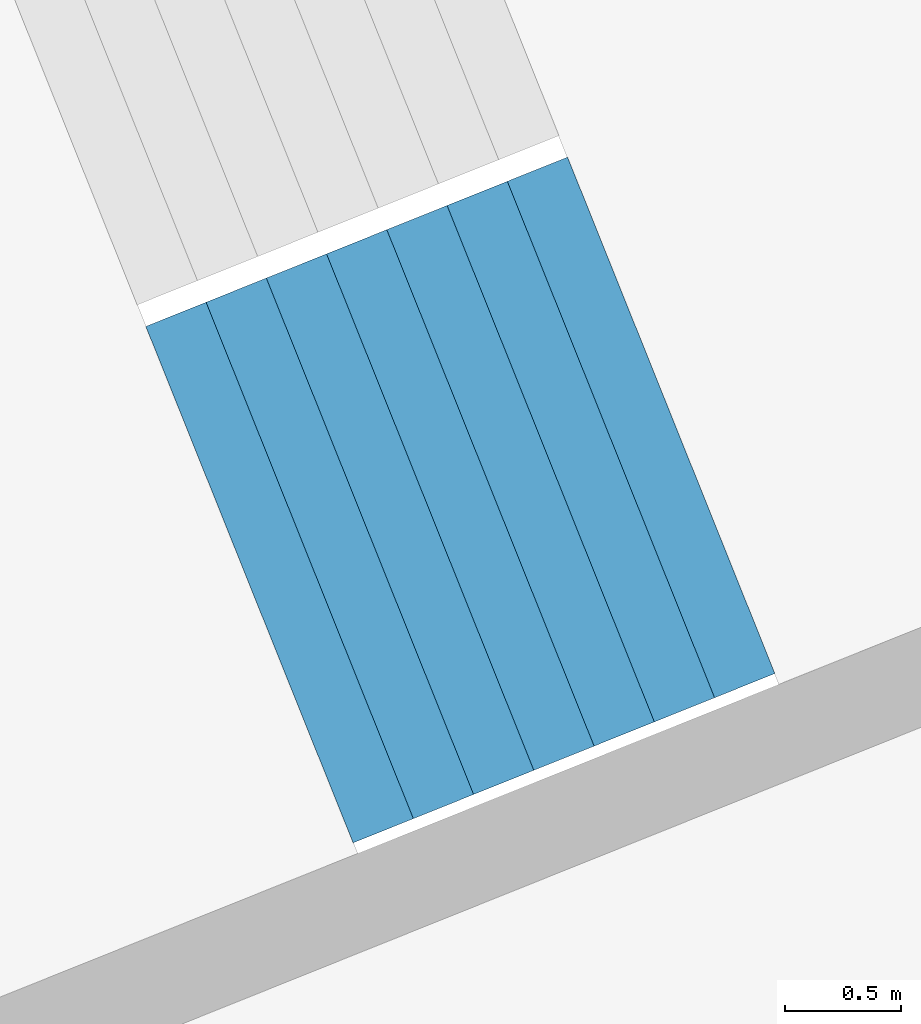
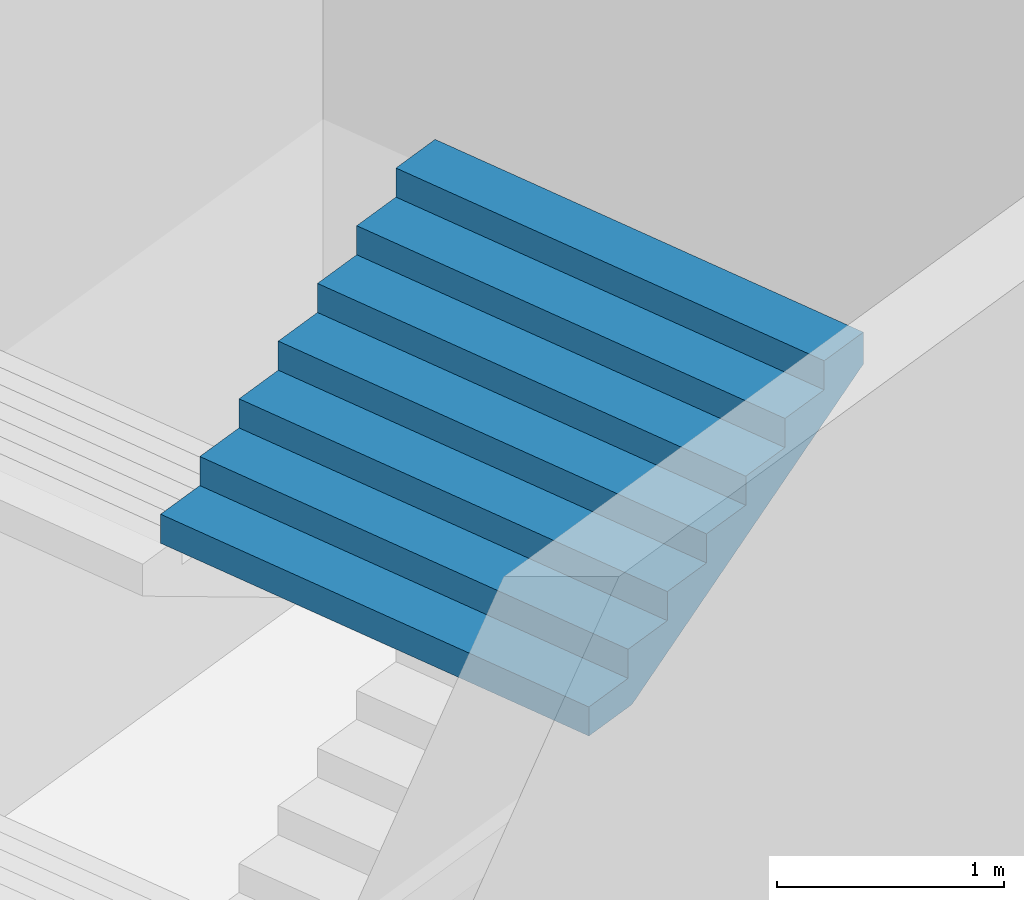
# One storey, part 20 of 73: 1 stair flight, 1 element without a shape of its own.
"""IFC4 building model written with IfcOpenShell, lengths in metres."""

from ifc_helpers import new_model, si_unit, direction, frame, origin, place, context, subcontext, project, spatial, triangles, material, type_object, element, aggregate, save


model = new_model("IFC4")

# Units and contexts
model_context = context("Model", 3, precision=1e-05, world=origin(), true_north=direction((0.0, 1.0)))
body_context = subcontext(model_context, "Body", "Model", "MODEL_VIEW")
ifc_project = project(units=[si_unit("LENGTHUNIT", "METRE"), si_unit("AREAUNIT", "SQUARE_METRE"), si_unit("VOLUMEUNIT", "CUBIC_METRE"), si_unit("PLANEANGLEUNIT", "RADIAN"), si_unit("MASSUNIT", "GRAM", prefix="KILO")], contexts=[model_context])

# Site, building, storey
site_placement = place(None, origin())
site = spatial("IfcSite", under=ifc_project, at=site_placement, CompositionType="ELEMENT")
building_placement = place(site_placement, origin())
building = spatial("IfcBuilding", under=site, at=building_placement, Name="Lantaw Convention Tower", CompositionType="ELEMENT")
storey_placement = place(building_placement, frame((0.0, 0.0, 27.0)))
storey = spatial("IfcBuildingStorey", under=building, at=storey_placement, Name="L04", CompositionType="ELEMENT", Elevation=27.0)

# Stair, stair flight
ifc_material = material(Name="Concrete C35/45", Category="concrete")
stair_type = type_object("IfcStairType", Name="Exit stair 2400 riser 156.25 in 4 flights", PredefinedType="HALF_TURN_STAIR", material=ifc_material)
stair_placement = place(storey_placement, origin())
stair = element("IfcStair", 1, at=stair_placement, inside=storey, type_object=stair_type, Name="Podium exit stair P11 L04", PredefinedType="HALF_TURN_STAIR")
stair_flight_type = type_object("IfcStairFlightType", Name="Stair flight 2400 riser 156.25", PredefinedType="STRAIGHT", material=ifc_material)
stair_flight_placement = place(storey_placement, frame((-30.9052734375, -13.753662109375, 3.75), z_axis=(0.0, 0.0, 1.0), x_axis=(0.928015168305, 0.372542410198, 0.0)))
stair_flight = element("IfcStairFlight", 2, at=stair_flight_placement, type_object=stair_flight_type, Name="P11 flight 4", NumberOfRisers=8, NumberOfTreads=7, PredefinedType="STRAIGHT", RiserHeight=0.15625, TreadLength=0.28, context=body_context, shape_type="Tessellation", body=[
    triangles([(0.0, 1.199951171875, 0.0), (0.0, 1.199951171875, 0.15625), (0.28, 1.199951171875, 0.0), (0.28, 1.199951171875, 0.15625), (0.28, 1.199951171875, 0.3125), (0.3076200632058044, 1.199951171875, 0.0), (0.3076200632058044, 1.199951171875, 0.3125), (0.56, 1.199951171875, 0.14083701830033238), (0.56, 1.199951171875, 0.3125), (0.56, 1.199951171875, 0.46875), (0.8400000000000001, 1.199951171875, 0.29708701830033235), (0.8400000000000001, 1.199951171875, 0.46875), (0.8400000000000001, 1.199951171875, 0.625), (1.12, 1.199951171875, 0.45333701830033235), (1.12, 1.199951171875, 0.625), (1.12, 1.199951171875, 0.78125), (1.4000000000000001, 1.199951171875, 0.6095870183003324), (1.4000000000000001, 1.199951171875, 0.78125), (1.4000000000000001, 1.199951171875, 0.9375), (1.6800000000000002, 1.199951171875, 0.7658370183003324), (1.6800000000000002, 1.199951171875, 0.9375), (1.6800000000000002, 1.199951171875, 1.09375), (1.9600000000000002, 1.199951171875, 0.9220870183003324), (1.9600000000000002, 1.199951171875, 1.09375), (0.0, -1.199951171875, 0.0), (0.0, -1.199951171875, 0.15625), (0.28, -1.199951171875, 0.0), (0.28, -1.199951171875, 0.15625), (0.28, -1.199951171875, 0.3125), (0.3076200632058044, -1.199951171875, 0.0), (0.3076200632058044, -1.199951171875, 0.3125), (0.56, -1.199951171875, 0.14083701830033238), (0.56, -1.199951171875, 0.3125), (0.56, -1.199951171875, 0.46875), (0.8400000000000001, -1.199951171875, 0.29708701830033235), (0.8400000000000001, -1.199951171875, 0.46875), (0.8400000000000001, -1.199951171875, 0.625), (1.12, -1.199951171875, 0.45333701830033235), (1.12, -1.199951171875, 0.625), (1.12, -1.199951171875, 0.78125), (1.4000000000000001, -1.199951171875, 0.6095870183003324), (1.4000000000000001, -1.199951171875, 0.78125), (1.4000000000000001, -1.199951171875, 0.9375), (1.6800000000000002, -1.199951171875, 0.7658370183003324), (1.6800000000000002, -1.199951171875, 0.9375), (1.6800000000000002, -1.199951171875, 1.09375), (1.9600000000000002, -1.199951171875, 0.9220870183003324), (1.9600000000000002, -1.199951171875, 1.09375), (0.0, 0.239990234375, 0.15625), (0.0, 0.239990234375, 0.0), (0.0, 0.1919921875, 0.15625), (0.0, 0.1919921875, 0.0), (0.0, 0.143994140625, 0.15625), (0.0, 0.143994140625, 0.0), (0.0, 0.09599609375, 0.15625), (0.0, 0.09599609375, 0.0), (0.0, 0.047998046875, 0.15625), (0.0, 0.047998046875, 0.0), (0.0, 0.0, 0.15625), (0.0, 0.0, 0.0), (0.0, -0.047998046875, 0.15625), (0.0, -0.047998046875, 0.0), (0.0, -0.09599609375, 0.15625), (0.0, -0.09599609375, 0.0), (0.0, -0.143994140625, 0.15625), (0.0, -0.143994140625, 0.0), (0.0, -0.1919921875, 0.15625), (0.0, -0.1919921875, 0.0), (0.0, -0.239990234375, 0.15625), (0.0, -0.239990234375, 0.0), (0.28, 0.239990234375, 0.3125), (0.28, 0.239990234375, 0.15625), (0.28, 0.1919921875, 0.3125), (0.28, 0.1919921875, 0.15625), (0.28, 0.143994140625, 0.3125), (0.28, 0.143994140625, 0.15625), (0.28, 0.09599609375, 0.3125), (0.28, 0.09599609375, 0.15625), (0.28, 0.047998046875, 0.3125), (0.28, 0.047998046875, 0.15625), (0.28, 0.0, 0.3125), (0.28, 0.0, 0.15625), (0.28, -0.047998046875, 0.3125), (0.28, -0.047998046875, 0.15625), (0.28, -0.09599609375, 0.3125), (0.28, -0.09599609375, 0.15625), (0.28, -0.143994140625, 0.3125), (0.28, -0.143994140625, 0.15625), (0.28, -0.1919921875, 0.3125), (0.28, -0.1919921875, 0.15625), (0.28, -0.239990234375, 0.3125), (0.28, -0.239990234375, 0.15625), (0.56, 0.239990234375, 0.46875), (0.56, 0.239990234375, 0.3125), (0.56, 0.1919921875, 0.46875), (0.56, 0.1919921875, 0.3125), (0.56, 0.143994140625, 0.46875), (0.56, 0.143994140625, 0.3125), (0.56, 0.09599609375, 0.46875), (0.56, 0.09599609375, 0.3125), (0.56, 0.047998046875, 0.46875), (0.56, 0.047998046875, 0.3125), (0.56, 0.0, 0.46875), (0.56, 0.0, 0.3125), (0.56, -0.047998046875, 0.46875), (0.56, -0.047998046875, 0.3125), (0.56, -0.09599609375, 0.46875), (0.56, -0.09599609375, 0.3125), (0.56, -0.143994140625, 0.46875), (0.56, -0.143994140625, 0.3125), (0.56, -0.1919921875, 0.46875), (0.56, -0.1919921875, 0.3125), (0.56, -0.239990234375, 0.46875), (0.56, -0.239990234375, 0.3125), (0.8400000000000001, 0.239990234375, 0.625), (0.8400000000000001, 0.239990234375, 0.46875), (0.8400000000000001, 0.1919921875, 0.625), (0.8400000000000001, 0.1919921875, 0.46875), (0.8400000000000001, 0.143994140625, 0.625), (0.8400000000000001, 0.143994140625, 0.46875), (0.8400000000000001, 0.09599609375, 0.625), (0.8400000000000001, 0.09599609375, 0.46875), (0.8400000000000001, 0.047998046875, 0.625), (0.8400000000000001, 0.047998046875, 0.46875), (0.8400000000000001, 0.0, 0.625), (0.8400000000000001, 0.0, 0.46875), (0.8400000000000001, -0.047998046875, 0.625), (0.8400000000000001, -0.047998046875, 0.46875), (0.8400000000000001, -0.09599609375, 0.625), (0.8400000000000001, -0.09599609375, 0.46875), (0.8400000000000001, -0.143994140625, 0.625), (0.8400000000000001, -0.143994140625, 0.46875), (0.8400000000000001, -0.1919921875, 0.625), (0.8400000000000001, -0.1919921875, 0.46875), (0.8400000000000001, -0.239990234375, 0.625), (0.8400000000000001, -0.239990234375, 0.46875), (1.12, 0.239990234375, 0.78125), (1.12, 0.239990234375, 0.625), (1.12, 0.1919921875, 0.78125), (1.12, 0.1919921875, 0.625), (1.12, 0.143994140625, 0.78125), (1.12, 0.143994140625, 0.625), (1.12, 0.09599609375, 0.78125), (1.12, 0.09599609375, 0.625), (1.12, 0.047998046875, 0.78125), (1.12, 0.047998046875, 0.625), (1.12, 0.0, 0.78125), (1.12, 0.0, 0.625), (1.12, -0.047998046875, 0.78125), (1.12, -0.047998046875, 0.625), (1.12, -0.09599609375, 0.78125), (1.12, -0.09599609375, 0.625), (1.12, -0.143994140625, 0.78125), (1.12, -0.143994140625, 0.625), (1.12, -0.1919921875, 0.78125), (1.12, -0.1919921875, 0.625), (1.12, -0.239990234375, 0.78125), (1.12, -0.239990234375, 0.625), (1.4000000000000001, 0.239990234375, 0.9375), (1.4000000000000001, 0.239990234375, 0.78125), (1.4000000000000001, 0.1919921875, 0.9375), (1.4000000000000001, 0.1919921875, 0.78125), (1.4000000000000001, 0.143994140625, 0.9375), (1.4000000000000001, 0.143994140625, 0.78125), (1.4000000000000001, 0.09599609375, 0.9375), (1.4000000000000001, 0.09599609375, 0.78125), (1.4000000000000001, 0.047998046875, 0.9375), (1.4000000000000001, 0.047998046875, 0.78125), (1.4000000000000001, 0.0, 0.9375), (1.4000000000000001, 0.0, 0.78125), (1.4000000000000001, -0.047998046875, 0.9375), (1.4000000000000001, -0.047998046875, 0.78125), (1.4000000000000001, -0.09599609375, 0.9375), (1.4000000000000001, -0.09599609375, 0.78125), (1.4000000000000001, -0.143994140625, 0.9375), (1.4000000000000001, -0.143994140625, 0.78125), (1.4000000000000001, -0.1919921875, 0.9375), (1.4000000000000001, -0.1919921875, 0.78125), (1.4000000000000001, -0.239990234375, 0.9375), (1.4000000000000001, -0.239990234375, 0.78125), (1.6800000000000002, 0.239990234375, 1.09375), (1.6800000000000002, 0.239990234375, 0.9375), (1.6800000000000002, 0.1919921875, 1.09375), (1.6800000000000002, 0.1919921875, 0.9375), (1.6800000000000002, 0.143994140625, 1.09375), (1.6800000000000002, 0.143994140625, 0.9375), (1.6800000000000002, 0.09599609375, 1.09375), (1.6800000000000002, 0.09599609375, 0.9375), (1.6800000000000002, 0.047998046875, 1.09375), (1.6800000000000002, 0.047998046875, 0.9375), (1.6800000000000002, 0.0, 1.09375), (1.6800000000000002, 0.0, 0.9375), (1.6800000000000002, -0.047998046875, 1.09375), (1.6800000000000002, -0.047998046875, 0.9375), (1.6800000000000002, -0.09599609375, 1.09375), (1.6800000000000002, -0.09599609375, 0.9375), (1.6800000000000002, -0.143994140625, 1.09375), (1.6800000000000002, -0.143994140625, 0.9375), (1.6800000000000002, -0.1919921875, 1.09375), (1.6800000000000002, -0.1919921875, 0.9375), (1.6800000000000002, -0.239990234375, 1.09375), (1.6800000000000002, -0.239990234375, 0.9375), (0.3076200632058044, 0.239990234375, 0.3125), (0.3076200632058044, 0.1919921875, 0.3125), (0.3076200632058044, 0.143994140625, 0.3125), (0.3076200632058044, 0.09599609375, 0.3125), (0.3076200632058044, 0.047998046875, 0.3125), (0.3076200632058044, 0.0, 0.3125), (0.3076200632058044, -0.047998046875, 0.3125), (0.3076200632058044, -0.09599609375, 0.3125), (0.3076200632058044, -0.143994140625, 0.3125), (0.3076200632058044, -0.1919921875, 0.3125), (0.3076200632058044, -0.239990234375, 0.3125), (1.9600000000000002, 0.239990234375, 1.09375), (1.9600000000000002, 0.1919921875, 1.09375), (1.9600000000000002, 0.143994140625, 1.09375), (1.9600000000000002, 0.09599609375, 1.09375), (1.9600000000000002, 0.047998046875, 1.09375), (1.9600000000000002, 0.0, 1.09375), (1.9600000000000002, -0.047998046875, 1.09375), (1.9600000000000002, -0.09599609375, 1.09375), (1.9600000000000002, -0.143994140625, 1.09375), (1.9600000000000002, -0.1919921875, 1.09375), (1.9600000000000002, -0.239990234375, 1.09375), (1.9600000000000002, 0.239990234375, 0.9220870183003324), (1.9600000000000002, 0.1919921875, 0.9220870183003324), (1.9600000000000002, 0.143994140625, 0.9220870183003324), (1.9600000000000002, 0.09599609375, 0.9220870183003324), (1.9600000000000002, 0.047998046875, 0.9220870183003324), (1.9600000000000002, 0.0, 0.9220870183003324), (1.9600000000000002, -0.047998046875, 0.9220870183003324), (1.9600000000000002, -0.09599609375, 0.9220870183003324), (1.9600000000000002, -0.143994140625, 0.9220870183003324), (1.9600000000000002, -0.1919921875, 0.9220870183003324), (1.9600000000000002, -0.239990234375, 0.9220870183003324), (1.6800000000000002, 0.239990234375, 0.7658370183003324), (1.6800000000000002, 0.1919921875, 0.7658370183003324), (1.6800000000000002, 0.143994140625, 0.7658370183003324), (1.6800000000000002, 0.09599609375, 0.7658370183003324), (1.6800000000000002, 0.047998046875, 0.7658370183003324), (1.6800000000000002, 0.0, 0.7658370183003324), (1.6800000000000002, -0.047998046875, 0.7658370183003324), (1.6800000000000002, -0.09599609375, 0.7658370183003324), (1.6800000000000002, -0.143994140625, 0.7658370183003324), (1.6800000000000002, -0.1919921875, 0.7658370183003324), (1.6800000000000002, -0.239990234375, 0.7658370183003324), (1.4000000000000001, 0.239990234375, 0.6095870183003324), (1.4000000000000001, 0.1919921875, 0.6095870183003324), (1.4000000000000001, 0.143994140625, 0.6095870183003324), (1.4000000000000001, 0.09599609375, 0.6095870183003324), (1.4000000000000001, 0.047998046875, 0.6095870183003324), (1.4000000000000001, 0.0, 0.6095870183003324), (1.4000000000000001, -0.047998046875, 0.6095870183003324), (1.4000000000000001, -0.09599609375, 0.6095870183003324), (1.4000000000000001, -0.143994140625, 0.6095870183003324), (1.4000000000000001, -0.1919921875, 0.6095870183003324), (1.4000000000000001, -0.239990234375, 0.6095870183003324), (1.12, 0.239990234375, 0.45333701830033235), (1.12, 0.1919921875, 0.45333701830033235), (1.12, 0.143994140625, 0.45333701830033235), (1.12, 0.09599609375, 0.45333701830033235), (1.12, 0.047998046875, 0.45333701830033235), (1.12, 0.0, 0.45333701830033235), (1.12, -0.047998046875, 0.45333701830033235), (1.12, -0.09599609375, 0.45333701830033235), (1.12, -0.143994140625, 0.45333701830033235), (1.12, -0.1919921875, 0.45333701830033235), (1.12, -0.239990234375, 0.45333701830033235), (0.8400000000000001, 0.239990234375, 0.29708701830033235), (0.8400000000000001, 0.1919921875, 0.29708701830033235), (0.8400000000000001, 0.143994140625, 0.29708701830033235), (0.8400000000000001, 0.09599609375, 0.29708701830033235), (0.8400000000000001, 0.047998046875, 0.29708701830033235), (0.8400000000000001, 0.0, 0.29708701830033235), (0.8400000000000001, -0.047998046875, 0.29708701830033235), (0.8400000000000001, -0.09599609375, 0.29708701830033235), (0.8400000000000001, -0.143994140625, 0.29708701830033235), (0.8400000000000001, -0.1919921875, 0.29708701830033235), (0.8400000000000001, -0.239990234375, 0.29708701830033235), (0.56, 0.239990234375, 0.14083701830033238), (0.56, 0.1919921875, 0.14083701830033238), (0.56, 0.143994140625, 0.14083701830033238), (0.56, 0.09599609375, 0.14083701830033238), (0.56, 0.047998046875, 0.14083701830033238), (0.56, 0.0, 0.14083701830033238), (0.56, -0.047998046875, 0.14083701830033238), (0.56, -0.09599609375, 0.14083701830033238), (0.56, -0.143994140625, 0.14083701830033238), (0.56, -0.1919921875, 0.14083701830033238), (0.56, -0.239990234375, 0.14083701830033238), (0.3076200632058044, 0.239990234375, 0.0), (0.3076200632058044, 0.1919921875, 0.0), (0.3076200632058044, 0.143994140625, 0.0), (0.3076200632058044, 0.09599609375, 0.0), (0.3076200632058044, 0.047998046875, 0.0), (0.3076200632058044, 0.0, 0.0), (0.3076200632058044, -0.047998046875, 0.0), (0.3076200632058044, -0.09599609375, 0.0), (0.3076200632058044, -0.143994140625, 0.0), (0.3076200632058044, -0.1919921875, 0.0), (0.3076200632058044, -0.239990234375, 0.0), (0.28, 0.239990234375, 0.0), (0.28, 0.1919921875, 0.0), (0.28, 0.143994140625, 0.0), (0.28, 0.09599609375, 0.0), (0.28, 0.047998046875, 0.0), (0.28, 0.0, 0.0), (0.28, -0.047998046875, 0.0), (0.28, -0.09599609375, 0.0), (0.28, -0.143994140625, 0.0), (0.28, -0.1919921875, 0.0), (0.28, -0.239990234375, 0.0)], [[1, 4, 3], [1, 2, 4], [3, 4, 6], [4, 7, 6], [4, 5, 7], [6, 9, 8], [6, 7, 9], [8, 9, 11], [9, 12, 11], [9, 10, 12], [11, 12, 14], [12, 15, 14], [12, 13, 15], [14, 15, 17], [15, 18, 17], [15, 16, 18], [17, 18, 20], [18, 21, 20], [18, 19, 21], [20, 21, 23], [21, 24, 23], [21, 22, 24], [25, 27, 28], [25, 28, 26], [27, 30, 28], [28, 30, 31], [28, 31, 29], [30, 32, 33], [30, 33, 31], [32, 35, 33], [33, 35, 36], [33, 36, 34], [35, 38, 36], [36, 38, 39], [36, 39, 37], [38, 41, 39], [39, 41, 42], [39, 42, 40], [41, 44, 42], [42, 44, 45], [42, 45, 43], [44, 47, 45], [45, 47, 48], [45, 48, 46], [1, 49, 2], [1, 50, 49], [50, 51, 49], [50, 52, 51], [52, 53, 51], [52, 54, 53], [54, 55, 53], [54, 56, 55], [56, 57, 55], [56, 58, 57], [58, 59, 57], [58, 60, 59], [60, 61, 59], [60, 62, 61], [62, 63, 61], [62, 64, 63], [64, 65, 63], [64, 66, 65], [66, 67, 65], [66, 68, 67], [68, 69, 67], [68, 70, 69], [70, 26, 69], [70, 25, 26], [4, 71, 5], [4, 72, 71], [72, 73, 71], [72, 74, 73], [74, 75, 73], [74, 76, 75], [76, 77, 75], [76, 78, 77], [78, 79, 77], [78, 80, 79], [80, 81, 79], [80, 82, 81], [82, 83, 81], [82, 84, 83], [84, 85, 83], [84, 86, 85], [86, 87, 85], [86, 88, 87], [88, 89, 87], [88, 90, 89], [90, 91, 89], [90, 92, 91], [92, 29, 91], [92, 28, 29], [9, 93, 10], [9, 94, 93], [94, 95, 93], [94, 96, 95], [96, 97, 95], [96, 98, 97], [98, 99, 97], [98, 100, 99], [100, 101, 99], [100, 102, 101], [102, 103, 101], [102, 104, 103], [104, 105, 103], [104, 106, 105], [106, 107, 105], [106, 108, 107], [108, 109, 107], [108, 110, 109], [110, 111, 109], [110, 112, 111], [112, 113, 111], [112, 114, 113], [114, 34, 113], [114, 33, 34], [12, 115, 13], [12, 116, 115], [116, 117, 115], [116, 118, 117], [118, 119, 117], [118, 120, 119], [120, 121, 119], [120, 122, 121], [122, 123, 121], [122, 124, 123], [124, 125, 123], [124, 126, 125], [126, 127, 125], [126, 128, 127], [128, 129, 127], [128, 130, 129], [130, 131, 129], [130, 132, 131], [132, 133, 131], [132, 134, 133], [134, 135, 133], [134, 136, 135], [136, 37, 135], [136, 36, 37], [15, 137, 16], [15, 138, 137], [138, 139, 137], [138, 140, 139], [140, 141, 139], [140, 142, 141], [142, 143, 141], [142, 144, 143], [144, 145, 143], [144, 146, 145], [146, 147, 145], [146, 148, 147], [148, 149, 147], [148, 150, 149], [150, 151, 149], [150, 152, 151], [152, 153, 151], [152, 154, 153], [154, 155, 153], [154, 156, 155], [156, 157, 155], [156, 158, 157], [158, 40, 157], [158, 39, 40], [18, 159, 19], [18, 160, 159], [160, 161, 159], [160, 162, 161], [162, 163, 161], [162, 164, 163], [164, 165, 163], [164, 166, 165], [166, 167, 165], [166, 168, 167], [168, 169, 167], [168, 170, 169], [170, 171, 169], [170, 172, 171], [172, 173, 171], [172, 174, 173], [174, 175, 173], [174, 176, 175], [176, 177, 175], [176, 178, 177], [178, 179, 177], [178, 180, 179], [180, 43, 179], [180, 42, 43], [21, 181, 22], [21, 182, 181], [182, 183, 181], [182, 184, 183], [184, 185, 183], [184, 186, 185], [186, 187, 185], [186, 188, 187], [188, 189, 187], [188, 190, 189], [190, 191, 189], [190, 192, 191], [192, 193, 191], [192, 194, 193], [194, 195, 193], [194, 196, 195], [196, 197, 195], [196, 198, 197], [198, 199, 197], [198, 200, 199], [200, 201, 199], [200, 202, 201], [202, 46, 201], [202, 45, 46], [2, 72, 4], [2, 49, 72], [49, 74, 72], [49, 51, 74], [51, 76, 74], [51, 53, 76], [53, 78, 76], [53, 55, 78], [55, 80, 78], [55, 57, 80], [57, 82, 80], [57, 59, 82], [59, 84, 82], [59, 61, 84], [61, 86, 84], [61, 63, 86], [63, 88, 86], [63, 65, 88], [65, 90, 88], [65, 67, 90], [67, 92, 90], [67, 69, 92], [69, 28, 92], [69, 26, 28], [5, 203, 7], [5, 71, 203], [71, 204, 203], [71, 73, 204], [73, 205, 204], [73, 75, 205], [75, 206, 205], [75, 77, 206], [77, 207, 206], [77, 79, 207], [79, 208, 207], [79, 81, 208], [81, 209, 208], [81, 83, 209], [83, 210, 209], [83, 85, 210], [85, 211, 210], [85, 87, 211], [87, 212, 211], [87, 89, 212], [89, 213, 212], [89, 91, 213], [91, 31, 213], [91, 29, 31], [7, 94, 9], [7, 203, 94], [203, 96, 94], [203, 204, 96], [204, 98, 96], [204, 205, 98], [205, 100, 98], [205, 206, 100], [206, 102, 100], [206, 207, 102], [207, 104, 102], [207, 208, 104], [208, 106, 104], [208, 209, 106], [209, 108, 106], [209, 210, 108], [210, 110, 108], [210, 211, 110], [211, 112, 110], [211, 212, 112], [212, 114, 112], [212, 213, 114], [213, 33, 114], [213, 31, 33], [10, 116, 12], [10, 93, 116], [93, 118, 116], [93, 95, 118], [95, 120, 118], [95, 97, 120], [97, 122, 120], [97, 99, 122], [99, 124, 122], [99, 101, 124], [101, 126, 124], [101, 103, 126], [103, 128, 126], [103, 105, 128], [105, 130, 128], [105, 107, 130], [107, 132, 130], [107, 109, 132], [109, 134, 132], [109, 111, 134], [111, 136, 134], [111, 113, 136], [113, 36, 136], [113, 34, 36], [13, 138, 15], [13, 115, 138], [115, 140, 138], [115, 117, 140], [117, 142, 140], [117, 119, 142], [119, 144, 142], [119, 121, 144], [121, 146, 144], [121, 123, 146], [123, 148, 146], [123, 125, 148], [125, 150, 148], [125, 127, 150], [127, 152, 150], [127, 129, 152], [129, 154, 152], [129, 131, 154], [131, 156, 154], [131, 133, 156], [133, 158, 156], [133, 135, 158], [135, 39, 158], [135, 37, 39], [16, 160, 18], [16, 137, 160], [137, 162, 160], [137, 139, 162], [139, 164, 162], [139, 141, 164], [141, 166, 164], [141, 143, 166], [143, 168, 166], [143, 145, 168], [145, 170, 168], [145, 147, 170], [147, 172, 170], [147, 149, 172], [149, 174, 172], [149, 151, 174], [151, 176, 174], [151, 153, 176], [153, 178, 176], [153, 155, 178], [155, 180, 178], [155, 157, 180], [157, 42, 180], [157, 40, 42], [19, 182, 21], [19, 159, 182], [159, 184, 182], [159, 161, 184], [161, 186, 184], [161, 163, 186], [163, 188, 186], [163, 165, 188], [165, 190, 188], [165, 167, 190], [167, 192, 190], [167, 169, 192], [169, 194, 192], [169, 171, 194], [171, 196, 194], [171, 173, 196], [173, 198, 196], [173, 175, 198], [175, 200, 198], [175, 177, 200], [177, 202, 200], [177, 179, 202], [179, 45, 202], [179, 43, 45], [22, 214, 24], [22, 181, 214], [181, 215, 214], [181, 183, 215], [183, 216, 215], [183, 185, 216], [185, 217, 216], [185, 187, 217], [187, 218, 217], [187, 189, 218], [189, 219, 218], [189, 191, 219], [191, 220, 219], [191, 193, 220], [193, 221, 220], [193, 195, 221], [195, 222, 221], [195, 197, 222], [197, 223, 222], [197, 199, 223], [199, 224, 223], [199, 201, 224], [201, 48, 224], [201, 46, 48], [24, 225, 23], [24, 214, 225], [214, 226, 225], [214, 215, 226], [215, 227, 226], [215, 216, 227], [216, 228, 227], [216, 217, 228], [217, 229, 228], [217, 218, 229], [218, 230, 229], [218, 219, 230], [219, 231, 230], [219, 220, 231], [220, 232, 231], [220, 221, 232], [221, 233, 232], [221, 222, 233], [222, 234, 233], [222, 223, 234], [223, 235, 234], [223, 224, 235], [224, 47, 235], [224, 48, 47], [23, 236, 20], [23, 225, 236], [225, 237, 236], [225, 226, 237], [226, 238, 237], [226, 227, 238], [227, 239, 238], [227, 228, 239], [228, 240, 239], [228, 229, 240], [229, 241, 240], [229, 230, 241], [230, 242, 241], [230, 231, 242], [231, 243, 242], [231, 232, 243], [232, 244, 243], [232, 233, 244], [233, 245, 244], [233, 234, 245], [234, 246, 245], [234, 235, 246], [235, 44, 246], [235, 47, 44], [20, 247, 17], [20, 236, 247], [236, 248, 247], [236, 237, 248], [237, 249, 248], [237, 238, 249], [238, 250, 249], [238, 239, 250], [239, 251, 250], [239, 240, 251], [240, 252, 251], [240, 241, 252], [241, 253, 252], [241, 242, 253], [242, 254, 253], [242, 243, 254], [243, 255, 254], [243, 244, 255], [244, 256, 255], [244, 245, 256], [245, 257, 256], [245, 246, 257], [246, 41, 257], [246, 44, 41], [17, 258, 14], [17, 247, 258], [247, 259, 258], [247, 248, 259], [248, 260, 259], [248, 249, 260], [249, 261, 260], [249, 250, 261], [250, 262, 261], [250, 251, 262], [251, 263, 262], [251, 252, 263], [252, 264, 263], [252, 253, 264], [253, 265, 264], [253, 254, 265], [254, 266, 265], [254, 255, 266], [255, 267, 266], [255, 256, 267], [256, 268, 267], [256, 257, 268], [257, 38, 268], [257, 41, 38], [14, 269, 11], [14, 258, 269], [258, 270, 269], [258, 259, 270], [259, 271, 270], [259, 260, 271], [260, 272, 271], [260, 261, 272], [261, 273, 272], [261, 262, 273], [262, 274, 273], [262, 263, 274], [263, 275, 274], [263, 264, 275], [264, 276, 275], [264, 265, 276], [265, 277, 276], [265, 266, 277], [266, 278, 277], [266, 267, 278], [267, 279, 278], [267, 268, 279], [268, 35, 279], [268, 38, 35], [11, 280, 8], [11, 269, 280], [269, 281, 280], [269, 270, 281], [270, 282, 281], [270, 271, 282], [271, 283, 282], [271, 272, 283], [272, 284, 283], [272, 273, 284], [273, 285, 284], [273, 274, 285], [274, 286, 285], [274, 275, 286], [275, 287, 286], [275, 276, 287], [276, 288, 287], [276, 277, 288], [277, 289, 288], [277, 278, 289], [278, 290, 289], [278, 279, 290], [279, 32, 290], [279, 35, 32], [8, 291, 6], [8, 280, 291], [280, 292, 291], [280, 281, 292], [281, 293, 292], [281, 282, 293], [282, 294, 293], [282, 283, 294], [283, 295, 294], [283, 284, 295], [284, 296, 295], [284, 285, 296], [285, 297, 296], [285, 286, 297], [286, 298, 297], [286, 287, 298], [287, 299, 298], [287, 288, 299], [288, 300, 299], [288, 289, 300], [289, 301, 300], [289, 290, 301], [290, 30, 301], [290, 32, 30], [6, 302, 3], [6, 291, 302], [291, 303, 302], [291, 292, 303], [292, 304, 303], [292, 293, 304], [293, 305, 304], [293, 294, 305], [294, 306, 305], [294, 295, 306], [295, 307, 306], [295, 296, 307], [296, 308, 307], [296, 297, 308], [297, 309, 308], [297, 298, 309], [298, 310, 309], [298, 299, 310], [299, 311, 310], [299, 300, 311], [300, 312, 311], [300, 301, 312], [301, 27, 312], [301, 30, 27], [3, 50, 1], [3, 302, 50], [302, 52, 50], [302, 303, 52], [303, 54, 52], [303, 304, 54], [304, 56, 54], [304, 305, 56], [305, 58, 56], [305, 306, 58], [306, 60, 58], [306, 307, 60], [307, 62, 60], [307, 308, 62], [308, 64, 62], [308, 309, 64], [309, 66, 64], [309, 310, 66], [310, 68, 66], [310, 311, 68], [311, 70, 68], [311, 312, 70], [312, 25, 70], [312, 27, 25]], closed=True),
])
aggregate(stair, [stair_flight])

save(model, "model.ifc")
